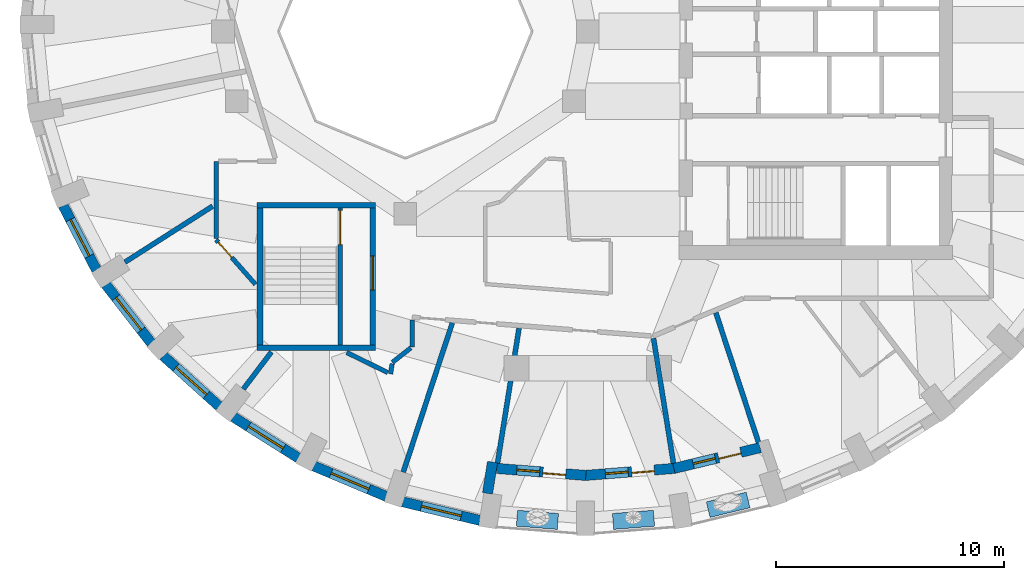
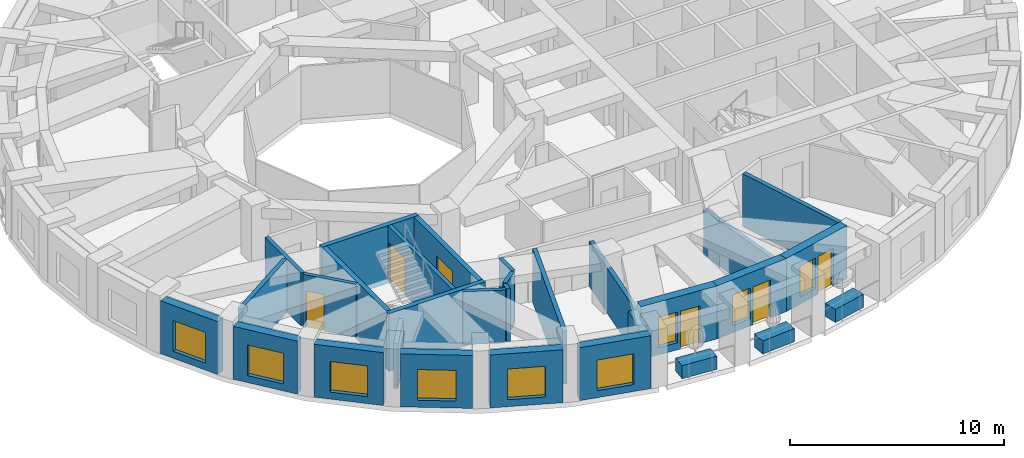
# One storey, part 3 of 12: 30 walls, 9 windows, 6 doors, 15 openings.
"""IFC4 building model written with IfcOpenShell, lengths in metres."""

from ifc_helpers import new_model, si_unit, direction, frame, frame_2d, origin, place, context, subcontext, project, spatial, rectangle, extrude, material, layer, layer_set, constituent, constituent_set, type_object, element, fill, save


model = new_model("IFC4")

# Units and contexts
model_context = context("Model", 3, precision=1e-05, world=origin(), true_north=direction((0.0, 1.0)))
body_context = subcontext(model_context, "Body", "Model", "MODEL_VIEW")
ifc_project = project(units=[si_unit("LENGTHUNIT", "METRE"), si_unit("AREAUNIT", "SQUARE_METRE"), si_unit("VOLUMEUNIT", "CUBIC_METRE"), si_unit("PLANEANGLEUNIT", "RADIAN"), si_unit("MASSUNIT", "GRAM", prefix="KILO")], contexts=[model_context])

# Site, building, storey
site_placement = place(None, origin())
site = spatial("IfcSite", under=ifc_project, at=site_placement, CompositionType="ELEMENT")
building_placement = place(site_placement, origin())
building = spatial("IfcBuilding", under=site, at=building_placement, Name="Taillehof Tower", CompositionType="ELEMENT")
storey_placement = place(building_placement, frame((0.0, 0.0, 249.800048828125)))
storey = spatial("IfcBuildingStorey", under=building, at=storey_placement, Name="L71", CompositionType="ELEMENT", Elevation=249.800048828125)

# Wall, opening, window
ifc_material_1 = material(Name="Brick masonry", Category="masonry")
ifc_layer_1 = layer(ifc_material_1, 0.449951171875)
ifc_layer_set_1 = layer_set([ifc_layer_1], Name="Brick infill wall 450")
wall_type_1 = type_object("IfcWallType", Name="Brick infill wall 450", PredefinedType="SOLIDWALL", material=ifc_layer_set_1)
wall_1_placement = place(storey_placement, frame((-23.010009765625, -7.6396484375, 0.0), z_axis=(0.0, 0.0, 1.0), x_axis=(0.459921155255, -0.887959757505, 0.0)))
wall_1 = element("IfcWall", 1, at=wall_1_placement, inside=storey, type_object=wall_type_1, Name="Brick wall L71 bay 21", PredefinedType="SOLIDWALL", context=body_context, shape_type="SweptSolid", body=[
    extrude(rectangle(XDim=3.185546875, YDim=0.449951171875, at=frame_2d((1.5927734375, 0.0))), origin(), (0.0, 0.0, 1.0), 3.02001953125),
])
opening_1_placement = place(wall_1_placement, frame((0.69287109375, 0.0, 0.39990234375)))
opening_1 = element("IfcOpeningElement", 2, at=opening_1_placement, cuts=wall_1, Name="Opening W4", PredefinedType="OPENING", context=body_context, shape_type="SweptSolid", body=[
    extrude(rectangle(XDim=1.800048828125, YDim=1.75, at=frame_2d((0.89990234375, 0.875))), frame((0.0, 0.23486328125, 0.0), z_axis=(0.0, -1.0, 0.0), x_axis=(1.0, 0.0, 0.0)), (0.0, 0.0, 1.0), 0.469970703125),
])
ifc_material_2 = material(Name="Aluminium window frame with clear double glazing", Category="aluminium")
window_type_1 = type_object("IfcWindowType", Name="Deep-set window 1800x1750", PartitioningType="SINGLE_PANEL", PredefinedType="WINDOW", material=ifc_material_2)
window_1_placement = place(opening_1_placement, origin())
window_1 = element("IfcWindow", 3, at=window_1_placement, inside=storey, type_object=window_type_1, Name="W4", OverallHeight=1.75, OverallWidth=1.800048828125, PartitioningType="SINGLE_PANEL", PredefinedType="WINDOW", context=body_context, shape_type="SweptSolid", body=[
    extrude(rectangle(XDim=1.800048828125, YDim=1.75, at=frame_2d((0.89990234375, 0.875))), frame((0.0, 0.034912109375, 0.0), z_axis=(0.0, -1.0, 0.0), x_axis=(1.0, 0.0, 0.0)), (0.0, 0.0, 1.0), 0.06005859375),
])
fill(opening_1, window_1)

wall_2_placement = place(storey_placement, frame((-21.135009765625, -11.108642578125, 0.0), z_axis=(0.0, 0.0, 1.0), x_axis=(0.613898970825, -0.789384604372, 0.0)))
wall_2 = element("IfcWall", 4, at=wall_2_placement, inside=storey, type_object=wall_type_1, Name="Brick wall L71 bay 22", PredefinedType="SOLIDWALL", context=body_context, shape_type="SweptSolid", body=[
    extrude(rectangle(XDim=3.2470703125, YDim=0.449951171875, at=frame_2d((1.62353515625, 0.0))), origin(), (0.0, 0.0, 1.0), 3.02001953125),
])
opening_2_placement = place(wall_2_placement, frame((0.7236328125, 0.0, 0.39990234375)))
opening_2 = element("IfcOpeningElement", 5, at=opening_2_placement, cuts=wall_2, Name="Opening W4", PredefinedType="OPENING", context=body_context, shape_type="SweptSolid", body=[
    extrude(rectangle(XDim=1.800048828125, YDim=1.75, at=frame_2d((0.89990234375, 0.875))), frame((0.0, 0.23486328125, 0.0), z_axis=(0.0, -1.0, 0.0), x_axis=(1.0, 0.0, 0.0)), (0.0, 0.0, 1.0), 0.469970703125),
])
window_2_placement = place(opening_2_placement, origin())
window_2 = element("IfcWindow", 6, at=window_2_placement, inside=storey, type_object=window_type_1, Name="W4", OverallHeight=1.75, OverallWidth=1.800048828125, PartitioningType="SINGLE_PANEL", PredefinedType="WINDOW", context=body_context, shape_type="SweptSolid", body=[
    extrude(rectangle(XDim=1.800048828125, YDim=1.75, at=frame_2d((0.89990234375, 0.875))), frame((0.0, 0.034912109375, 0.0), z_axis=(0.0, -1.0, 0.0), x_axis=(1.0, 0.0, 0.0)), (0.0, 0.0, 1.0), 0.06005859375),
])
fill(opening_2, window_2)

wall_3_placement = place(storey_placement, frame((-18.623779296875, -14.228515625, 0.0), z_axis=(0.0, 0.0, 1.0), x_axis=(0.743166014219, -0.669107073128, 0.0)))
wall_3 = element("IfcWall", 7, at=wall_3_placement, inside=storey, type_object=wall_type_1, Name="Brick wall L71 bay 23", PredefinedType="SOLIDWALL", context=body_context, shape_type="SweptSolid", body=[
    extrude(rectangle(XDim=3.31640625, YDim=0.449951171875, at=frame_2d((1.658203125, 0.0))), origin(), (0.0, 0.0, 1.0), 3.02001953125),
])
opening_3_placement = place(wall_3_placement, frame((0.75830078125, 0.0, 0.39990234375)))
opening_3 = element("IfcOpeningElement", 8, at=opening_3_placement, cuts=wall_3, Name="Opening W4", PredefinedType="OPENING", context=body_context, shape_type="SweptSolid", body=[
    extrude(rectangle(XDim=1.800048828125, YDim=1.75, at=frame_2d((0.89990234375, 0.875))), frame((0.0, 0.23486328125, 0.0), z_axis=(0.0, -1.0, 0.0), x_axis=(1.0, 0.0, 0.0)), (0.0, 0.0, 1.0), 0.469970703125),
])
window_3_placement = place(opening_3_placement, origin())
window_3 = element("IfcWindow", 9, at=window_3_placement, inside=storey, type_object=window_type_1, Name="W4", OverallHeight=1.75, OverallWidth=1.800048828125, PartitioningType="SINGLE_PANEL", PredefinedType="WINDOW", context=body_context, shape_type="SweptSolid", body=[
    extrude(rectangle(XDim=1.800048828125, YDim=1.75, at=frame_2d((0.89990234375, 0.875))), frame((0.0, 0.034912109375, 0.0), z_axis=(0.0, -1.0, 0.0), x_axis=(1.0, 0.0, 0.0)), (0.0, 0.0, 1.0), 0.06005859375),
])
fill(opening_3, window_3)

wall_4_placement = place(storey_placement, frame((-15.552978515625, -16.906005859375, 0.0), z_axis=(0.0, 0.0, 1.0), x_axis=(0.845929139811, -0.53329531258, 0.0)))
wall_4 = element("IfcWall", 10, at=wall_4_placement, inside=storey, type_object=wall_type_1, Name="Brick wall L71 bay 24", PredefinedType="SOLIDWALL", context=body_context, shape_type="SweptSolid", body=[
    extrude(rectangle(XDim=3.384521484375, YDim=0.449951171875, at=frame_2d((1.6923828125, 0.0))), origin(), (0.0, 0.0, 1.0), 3.02001953125),
])
opening_4_placement = place(wall_4_placement, frame((0.792236328125, 0.0, 0.39990234375)))
opening_4 = element("IfcOpeningElement", 11, at=opening_4_placement, cuts=wall_4, Name="Opening W4", PredefinedType="OPENING", context=body_context, shape_type="SweptSolid", body=[
    extrude(rectangle(XDim=1.800048828125, YDim=1.75, at=frame_2d((0.89990234375, 0.875))), frame((0.0, 0.23486328125, 0.0), z_axis=(0.0, -1.0, 0.0), x_axis=(1.0, 0.0, 0.0)), (0.0, 0.0, 1.0), 0.469970703125),
])
window_4_placement = place(opening_4_placement, origin())
window_4 = element("IfcWindow", 12, at=window_4_placement, inside=storey, type_object=window_type_1, Name="W4", OverallHeight=1.75, OverallWidth=1.800048828125, PartitioningType="SINGLE_PANEL", PredefinedType="WINDOW", context=body_context, shape_type="SweptSolid", body=[
    extrude(rectangle(XDim=1.800048828125, YDim=1.75, at=frame_2d((0.89990234375, 0.875))), frame((0.0, 0.034912109375, 0.0), z_axis=(0.0, -1.0, 0.0), x_axis=(1.0, 0.0, 0.0)), (0.0, 0.0, 1.0), 0.06005859375),
])
fill(opening_4, window_4)

wall_5_placement = place(storey_placement, frame((-12.015625, -19.06201171875, 0.0), z_axis=(0.0, 0.0, 1.0), x_axis=(0.922049934692, -0.3870709469, 0.0)))
wall_5 = element("IfcWall", 13, at=wall_5_placement, inside=storey, type_object=wall_type_1, Name="Brick wall L71 bay 25", PredefinedType="SOLIDWALL", context=body_context, shape_type="SweptSolid", body=[
    extrude(rectangle(XDim=3.443115234375, YDim=0.449951171875, at=frame_2d((1.7216796875, 0.0))), origin(), (0.0, 0.0, 1.0), 3.02001953125),
])
opening_5_placement = place(wall_5_placement, frame((0.82177734375, 0.0, 0.39990234375)))
opening_5 = element("IfcOpeningElement", 14, at=opening_5_placement, cuts=wall_5, Name="Opening W4", PredefinedType="OPENING", context=body_context, shape_type="SweptSolid", body=[
    extrude(rectangle(XDim=1.800048828125, YDim=1.75, at=frame_2d((0.89990234375, 0.875))), frame((0.0, 0.23486328125, 0.0), z_axis=(0.0, -1.0, 0.0), x_axis=(1.0, 0.0, 0.0)), (0.0, 0.0, 1.0), 0.469970703125),
])
window_5_placement = place(opening_5_placement, origin())
window_5 = element("IfcWindow", 15, at=window_5_placement, inside=storey, type_object=window_type_1, Name="W4", OverallHeight=1.75, OverallWidth=1.800048828125, PartitioningType="SINGLE_PANEL", PredefinedType="WINDOW", context=body_context, shape_type="SweptSolid", body=[
    extrude(rectangle(XDim=1.800048828125, YDim=1.75, at=frame_2d((0.89990234375, 0.875))), frame((0.0, 0.034912109375, 0.0), z_axis=(0.0, -1.0, 0.0), x_axis=(1.0, 0.0, 0.0)), (0.0, 0.0, 1.0), 0.06005859375),
])
fill(opening_5, window_5)

wall_6_placement = place(storey_placement, frame((-8.11865234375, -20.6318359375, 0.0), z_axis=(0.0, 0.0, 1.0), x_axis=(0.972115243017, -0.234503633859, 0.0)))
wall_6 = element("IfcWall", 16, at=wall_6_placement, inside=storey, type_object=wall_type_1, Name="Brick wall L71 bay 26", PredefinedType="SOLIDWALL", context=body_context, shape_type="SweptSolid", body=[
    extrude(rectangle(XDim=3.486572265625, YDim=0.449951171875, at=frame_2d((1.7431640625, 0.0))), origin(), (0.0, 0.0, 1.0), 3.02001953125),
])
opening_6_placement = place(wall_6_placement, frame((0.84326171875, 0.0, 0.39990234375)))
opening_6 = element("IfcOpeningElement", 17, at=opening_6_placement, cuts=wall_6, Name="Opening W4", PredefinedType="OPENING", context=body_context, shape_type="SweptSolid", body=[
    extrude(rectangle(XDim=1.800048828125, YDim=1.75, at=frame_2d((0.89990234375, 0.875))), frame((0.0, 0.23486328125, 0.0), z_axis=(0.0, -1.0, 0.0), x_axis=(1.0, 0.0, 0.0)), (0.0, 0.0, 1.0), 0.469970703125),
])
window_6_placement = place(opening_6_placement, origin())
window_6 = element("IfcWindow", 18, at=window_6_placement, inside=storey, type_object=window_type_1, Name="W4", OverallHeight=1.75, OverallWidth=1.800048828125, PartitioningType="SINGLE_PANEL", PredefinedType="WINDOW", context=body_context, shape_type="SweptSolid", body=[
    extrude(rectangle(XDim=1.800048828125, YDim=1.75, at=frame_2d((0.89990234375, 0.875))), frame((0.0, 0.034912109375, 0.0), z_axis=(0.0, -1.0, 0.0), x_axis=(1.0, 0.0, 0.0)), (0.0, 0.0, 1.0), 0.06005859375),
])
fill(opening_6, window_6)

# Wall
wall_7_placement = place(storey_placement, frame((-4.39599609375, -20.262939453125, 0.0), z_axis=(0.0, 0.0, 1.0), x_axis=(0.157360300025, 0.98754125786, 0.0)))
element("IfcWall", 19, at=wall_7_placement, inside=storey, type_object=wall_type_1, Name="Brick reveal L71 pocket 8", PredefinedType="SOLIDWALL", context=body_context, shape_type="SweptSolid", body=[
    extrude(rectangle(XDim=1.39013671875, YDim=0.449951171875, at=frame_2d((0.695068359375, 0.0))), origin(), (0.0, 0.0, 1.0), 2.570068359375),
])

# Wall, openings, door, window
wall_8_placement = place(storey_placement, frame((-3.993408203125, -19.166748046875, 0.0), z_axis=(0.0, 0.0, 1.0), x_axis=(0.996896863697, -0.078718759836, 0.0)))
wall_8 = element("IfcWall", 20, at=wall_8_placement, inside=storey, type_object=wall_type_1, Name="Brick wall L71 pocket bay 27", PredefinedType="SOLIDWALL", context=body_context, shape_type="SweptSolid", body=[
    extrude(rectangle(XDim=3.92333984375, YDim=0.449951171875, at=frame_2d((1.961669921875, 0.0))), origin(), (0.0, 0.0, 1.0), 3.02001953125),
])
opening_7_placement = place(wall_8_placement, frame((0.88671875, 0.0, 0.39990234375)))
opening_7 = element("IfcOpeningElement", 21, at=opening_7_placement, cuts=wall_8, Name="Opening W5", PredefinedType="OPENING", context=body_context, shape_type="SweptSolid", body=[
    extrude(rectangle(XDim=1.0, YDim=1.75, at=frame_2d((0.5, 0.875))), frame((0.0, 0.23486328125, 0.0), z_axis=(0.0, -1.0, 0.0), x_axis=(1.0, 0.0, 0.0)), (0.0, 0.0, 1.0), 0.469970703125),
])
opening_8_placement = place(wall_8_placement, frame((2.03662109375, 0.0, 0.0)))
opening_8 = element("IfcOpeningElement", 22, at=opening_8_placement, cuts=wall_8, Name="Opening D7191", PredefinedType="OPENING", context=body_context, shape_type="SweptSolid", body=[
    extrude(rectangle(XDim=1.0, YDim=2.14990234375, at=frame_2d((0.5, 1.074951171875))), frame((0.0, 0.23486328125, 0.0), z_axis=(0.0, -1.0, 0.0), x_axis=(1.0, 0.0, 0.0)), (0.0, 0.0, 1.0), 0.469970703125),
])
ifc_material_3 = material(Name="Aluminium door frame with clear double glazing", Category="aluminium")
door_type_1 = type_object("IfcDoorType", Name="Balcony door 1000x2150", OperationType="SINGLE_SWING_RIGHT", PredefinedType="DOOR", material=ifc_material_3)
door_1_placement = place(opening_8_placement, frame((1.0, 0.0, 0.0), z_axis=(0.0, 0.0, 1.0), x_axis=(-1.0, 0.0, 0.0)))
door_1 = element("IfcDoor", 23, at=door_1_placement, inside=storey, type_object=door_type_1, Name="Balcony door L71 bay 27", OperationType="SINGLE_SWING_RIGHT", OverallHeight=2.14990234375, OverallWidth=1.0, PredefinedType="DOOR", context=body_context, shape_type="SweptSolid", body=[
    extrude(rectangle(XDim=1.0, YDim=2.14990234375, at=frame_2d((0.5, 1.074951171875))), frame((0.0, 0.0751953125, 0.0), z_axis=(0.0, -1.0, 0.0), x_axis=(1.0, 0.0, 0.0)), (0.0, 0.0, 1.0), 0.050048828125),
])
fill(opening_8, door_1)
ifc_material_4 = material(Name="Aluminium window frame with clear double glazing", Category="aluminium")
window_type_2 = type_object("IfcWindowType", Name="Fixed window 1000x1750", PartitioningType="SINGLE_PANEL", PredefinedType="WINDOW", material=ifc_material_4)
window_7_placement = place(opening_7_placement, origin())
window_7 = element("IfcWindow", 24, at=window_7_placement, inside=storey, type_object=window_type_2, Name="W5", OverallHeight=1.75, OverallWidth=1.0, PartitioningType="SINGLE_PANEL", PredefinedType="WINDOW", context=body_context, shape_type="SweptSolid", body=[
    extrude(rectangle(XDim=1.0, YDim=1.75, at=frame_2d((0.5, 0.875))), frame((0.0, 0.034912109375, 0.0), z_axis=(0.0, -1.0, 0.0), x_axis=(1.0, 0.0, 0.0)), (0.0, 0.0, 1.0), 0.06005859375),
])
fill(opening_7, window_7)

wall_9_placement = place(storey_placement, frame((-0.11767578125, -19.4755859375, 0.0), z_axis=(0.0, 0.0, 1.0), x_axis=(0.99689571809, 0.078733266494, 0.0)))
wall_9 = element("IfcWall", 25, at=wall_9_placement, inside=storey, type_object=wall_type_1, Name="Brick wall L71 pocket bay 28", PredefinedType="SOLIDWALL", context=body_context, shape_type="SweptSolid", body=[
    extrude(rectangle(XDim=3.941162109375, YDim=0.449951171875, at=frame_2d((1.970703125, 0.0))), origin(), (0.0, 0.0, 1.0), 3.02001953125),
])
opening_9_placement = place(wall_9_placement, frame((0.8955078125, 0.0, 0.39990234375)))
opening_9 = element("IfcOpeningElement", 26, at=opening_9_placement, cuts=wall_9, Name="Opening W5", PredefinedType="OPENING", context=body_context, shape_type="SweptSolid", body=[
    extrude(rectangle(XDim=1.0, YDim=1.75, at=frame_2d((0.5, 0.875))), frame((0.0, 0.23486328125, 0.0), z_axis=(0.0, -1.0, 0.0), x_axis=(1.0, 0.0, 0.0)), (0.0, 0.0, 1.0), 0.469970703125),
])
opening_10_placement = place(wall_9_placement, frame((2.045654296875, 0.0, 0.0)))
opening_10 = element("IfcOpeningElement", 27, at=opening_10_placement, cuts=wall_9, Name="Opening D7192", PredefinedType="OPENING", context=body_context, shape_type="SweptSolid", body=[
    extrude(rectangle(XDim=1.0, YDim=2.14990234375, at=frame_2d((0.5, 1.074951171875))), frame((0.0, 0.23486328125, 0.0), z_axis=(0.0, -1.0, 0.0), x_axis=(1.0, 0.0, 0.0)), (0.0, 0.0, 1.0), 0.469970703125),
])
door_2_placement = place(opening_10_placement, frame((1.0, 0.0, 0.0), z_axis=(0.0, 0.0, 1.0), x_axis=(-1.0, 0.0, 0.0)))
door_2 = element("IfcDoor", 28, at=door_2_placement, inside=storey, type_object=door_type_1, Name="Balcony door L71 bay 28", OperationType="SINGLE_SWING_LEFT", OverallHeight=2.14990234375, OverallWidth=1.0, PredefinedType="DOOR", context=body_context, shape_type="SweptSolid", body=[
    extrude(rectangle(XDim=1.0, YDim=2.14990234375, at=frame_2d((0.5, 1.074951171875))), frame((0.0, 0.0751953125, 0.0), z_axis=(0.0, -1.0, 0.0), x_axis=(1.0, 0.0, 0.0)), (0.0, 0.0, 1.0), 0.050048828125),
])
fill(opening_10, door_2)
window_8_placement = place(opening_9_placement, origin())
window_8 = element("IfcWindow", 29, at=window_8_placement, inside=storey, type_object=window_type_2, Name="W5", OverallHeight=1.75, OverallWidth=1.0, PartitioningType="SINGLE_PANEL", PredefinedType="WINDOW", context=body_context, shape_type="SweptSolid", body=[
    extrude(rectangle(XDim=1.0, YDim=1.75, at=frame_2d((0.5, 0.875))), frame((0.0, 0.034912109375, 0.0), z_axis=(0.0, -1.0, 0.0), x_axis=(1.0, 0.0, 0.0)), (0.0, 0.0, 1.0), 0.06005859375),
])
fill(opening_9, window_8)

wall_10_placement = place(storey_placement, frame((3.776123046875, -19.1708984375, 0.0), z_axis=(0.0, 0.0, 1.0), x_axis=(0.971940055516, 0.235228672751, 0.0)))
wall_10 = element("IfcWall", 30, at=wall_10_placement, inside=storey, type_object=wall_type_1, Name="Brick wall L71 pocket bay 29", PredefinedType="SOLIDWALL", context=body_context, shape_type="SweptSolid", body=[
    extrude(rectangle(XDim=3.895263671875, YDim=0.449951171875, at=frame_2d((1.94775390625, 0.0))), origin(), (0.0, 0.0, 1.0), 3.02001953125),
])
opening_11_placement = place(wall_10_placement, frame((0.87255859375, 0.0, 0.39990234375)))
opening_11 = element("IfcOpeningElement", 31, at=opening_11_placement, cuts=wall_10, Name="Opening W5", PredefinedType="OPENING", context=body_context, shape_type="SweptSolid", body=[
    extrude(rectangle(XDim=1.0, YDim=1.75, at=frame_2d((0.5, 0.875))), frame((0.0, 0.23486328125, 0.0), z_axis=(0.0, -1.0, 0.0), x_axis=(1.0, 0.0, 0.0)), (0.0, 0.0, 1.0), 0.469970703125),
])
opening_12_placement = place(wall_10_placement, frame((2.022705078125, 0.0, 0.0)))
opening_12 = element("IfcOpeningElement", 32, at=opening_12_placement, cuts=wall_10, Name="Opening D7193", PredefinedType="OPENING", context=body_context, shape_type="SweptSolid", body=[
    extrude(rectangle(XDim=1.0, YDim=2.14990234375, at=frame_2d((0.5, 1.074951171875))), frame((0.0, 0.23486328125, 0.0), z_axis=(0.0, -1.0, 0.0), x_axis=(1.0, 0.0, 0.0)), (0.0, 0.0, 1.0), 0.469970703125),
])
door_3_placement = place(opening_12_placement, frame((1.0, 0.0, 0.0), z_axis=(0.0, 0.0, 1.0), x_axis=(-1.0, 0.0, 0.0)))
door_3 = element("IfcDoor", 33, at=door_3_placement, inside=storey, type_object=door_type_1, Name="Balcony door L71 bay 29", OperationType="SINGLE_SWING_LEFT", OverallHeight=2.14990234375, OverallWidth=1.0, PredefinedType="DOOR", context=body_context, shape_type="SweptSolid", body=[
    extrude(rectangle(XDim=1.0, YDim=2.14990234375, at=frame_2d((0.5, 1.074951171875))), frame((0.0, 0.0751953125, 0.0), z_axis=(0.0, -1.0, 0.0), x_axis=(1.0, 0.0, 0.0)), (0.0, 0.0, 1.0), 0.050048828125),
])
fill(opening_12, door_3)
window_9_placement = place(opening_11_placement, origin())
window_9 = element("IfcWindow", 34, at=window_9_placement, inside=storey, type_object=window_type_2, Name="W5", OverallHeight=1.75, OverallWidth=1.0, PartitioningType="SINGLE_PANEL", PredefinedType="WINDOW", context=body_context, shape_type="SweptSolid", body=[
    extrude(rectangle(XDim=1.0, YDim=1.75, at=frame_2d((0.5, 0.875))), frame((0.0, 0.034912109375, 0.0), z_axis=(0.0, -1.0, 0.0), x_axis=(1.0, 0.0, 0.0)), (0.0, 0.0, 1.0), 0.06005859375),
])
fill(opening_11, window_9)

# Walls
ifc_material_5 = material(Name="Gypsum board on steel studs, two layers each side", Category="steel")
ifc_layer_2 = layer(ifc_material_5, 0.199951171875)
ifc_layer_set_2 = layer_set([ifc_layer_2], Name="Compartment wall corridor 200")
wall_type_2 = type_object("IfcWallType", Name="Compartment wall corridor 200", PredefinedType="PARTITIONING", material=ifc_layer_set_2)
wall_11_placement = place(storey_placement, frame((-7.699951171875, -12.655029296875, 0.0), z_axis=(0.0, 0.0, 1.0), x_axis=(0.0, -1.0, 0.0)))
element("IfcWall", 35, at=wall_11_placement, inside=storey, type_object=wall_type_2, Name="Compartment wall", PredefinedType="PARTITIONING", context=body_context, shape_type="SweptSolid", body=[
    extrude(rectangle(XDim=1.17822265625, YDim=0.199951171875, at=frame_2d((0.589111328125, 0.0))), origin(), (0.0, 0.0, 1.0), 3.02001953125),
])
wall_12_placement = place(storey_placement, frame((-7.762451171875, -13.883056640625, 0.0), z_axis=(0.0, 0.0, 1.0), x_axis=(-0.786062424188, -0.618147122682, 0.0)))
element("IfcWall", 36, at=wall_12_placement, inside=storey, type_object=wall_type_2, Name="Compartment wall", PredefinedType="PARTITIONING", context=body_context, shape_type="SweptSolid", body=[
    extrude(rectangle(XDim=1.026611328125, YDim=0.199951171875, at=frame_2d((0.51318359375, 0.0))), origin(), (0.0, 0.0, 1.0), 3.02001953125),
])
wall_13_placement = place(storey_placement, frame((-8.578857421875, -14.576904296875, 0.0), z_axis=(0.0, 0.0, 1.0), x_axis=(-0.156959618358, -0.987605021355, 0.0)))
element("IfcWall", 37, at=wall_13_placement, inside=storey, type_object=wall_type_2, Name="Compartment wall", PredefinedType="PARTITIONING", context=body_context, shape_type="SweptSolid", body=[
    extrude(rectangle(XDim=0.45263671875, YDim=0.199951171875, at=frame_2d((0.226318359375, 0.0))), origin(), (0.0, 0.0, 1.0), 3.02001953125),
])
wall_14_placement = place(storey_placement, frame((-8.7763671875, -14.96240234375, 0.0), z_axis=(0.0, 0.0, 1.0), x_axis=(-0.897985962104, 0.44002410373, 0.0)))
element("IfcWall", 38, at=wall_14_placement, inside=storey, type_object=wall_type_2, Name="Compartment wall", PredefinedType="PARTITIONING", context=body_context, shape_type="SweptSolid", body=[
    extrude(rectangle(XDim=2.000732421875, YDim=0.199951171875, at=frame_2d((1.00048828125, 0.0))), origin(), (0.0, 0.0, 1.0), 3.02001953125),
])

# Wall, opening, door
wall_15_placement = place(storey_placement, frame((-14.57080078125, -11.0966796875, 0.0), z_axis=(0.0, 0.0, 1.0), x_axis=(-0.661964672275, 0.749535037646, 0.0)))
wall_15 = element("IfcWall", 39, at=wall_15_placement, inside=storey, type_object=wall_type_2, Name="Compartment wall", PredefinedType="PARTITIONING", context=body_context, shape_type="SweptSolid", body=[
    extrude(rectangle(XDim=2.6123046875, YDim=0.199951171875, at=frame_2d((1.30615234375, 0.0))), origin(), (0.0, 0.0, 1.0), 3.02001953125),
])
opening_13_placement = place(wall_15_placement, frame((1.572265625, 0.0, 0.0)))
opening_13 = element("IfcOpeningElement", 40, at=opening_13_placement, cuts=wall_15, Name="Opening D7149", PredefinedType="OPENING", context=body_context, shape_type="SweptSolid", body=[
    extrude(rectangle(XDim=0.89990234375, YDim=2.10009765625, at=frame_2d((0.449951171875, 1.050048828125))), frame((0.0, 0.10986328125, 0.0), z_axis=(0.0, -1.0, 0.0), x_axis=(1.0, 0.0, 0.0)), (0.0, 0.0, 1.0), 0.219970703125),
])
ifc_material_6 = material(Name="Timber door leaf in steel frame", Category="steel")
door_type_2 = type_object("IfcDoorType", Name="Service room door EI 30 900 x 2100", OperationType="SINGLE_SWING_LEFT", PredefinedType="DOOR", material=ifc_material_6)
door_4_placement = place(opening_13_placement, origin())
door_4 = element("IfcDoor", 41, at=door_4_placement, inside=storey, type_object=door_type_2, Name="D7149", OperationType="SINGLE_SWING_RIGHT", OverallHeight=2.10009765625, OverallWidth=0.89990234375, PredefinedType="DOOR", context=body_context, shape_type="SweptSolid", body=[
    extrude(rectangle(XDim=0.89990234375, YDim=2.10009765625, at=frame_2d((0.449951171875, 1.050048828125))), frame((0.0, 0.02490234375, 0.0), z_axis=(0.0, -1.0, 0.0), x_axis=(1.0, 0.0, 0.0)), (0.0, 0.0, 1.0), 0.050048828125),
])
fill(opening_13, door_4)

# Walls
wall_16_placement = place(storey_placement, frame((-16.300048828125, -9.07861328125, 0.0), z_axis=(0.0, 0.0, 1.0), x_axis=(0.0, 1.0, 0.0)))
element("IfcWall", 42, at=wall_16_placement, inside=storey, type_object=wall_type_2, Name="Compartment wall", PredefinedType="PARTITIONING", context=body_context, shape_type="SweptSolid", body=[
    extrude(rectangle(XDim=3.378662109375, YDim=0.199951171875, at=frame_2d((1.689453125, 0.0))), origin(), (0.0, 0.0, 1.0), 3.02001953125),
])
ifc_material_7 = material(Name="Gypsum board on double steel studs with mineral wool", Category="steel")
ifc_layer_3 = layer(ifc_material_7, 0.219970703125)
ifc_layer_set_3 = layer_set([ifc_layer_3], Name="Compartment wall guest room 220")
wall_type_3 = type_object("IfcWallType", Name="Compartment wall guest room 220", PredefinedType="PARTITIONING", material=ifc_layer_set_3)
wall_17_placement = place(storey_placement, frame((-20.2958984375, -10.12109375, 0.0), z_axis=(0.0, 0.0, 1.0), x_axis=(0.842562742951, 0.538598202922, 0.0)))
element("IfcWall", 43, at=wall_17_placement, inside=storey, type_object=wall_type_3, Name="Compartment wall", PredefinedType="PARTITIONING", context=body_context, shape_type="SweptSolid", body=[
    extrude(rectangle(XDim=4.563720703125, YDim=0.219970703125, at=frame_2d((2.28173828125, 0.0))), origin(), (0.0, 0.0, 1.0), 3.02001953125),
])
wall_18_placement = place(storey_placement, frame((-15.10595703125, -15.687255859375, 0.0), z_axis=(0.0, 0.0, 1.0), x_axis=(0.603910579463, 0.797052076099, 0.0)))
element("IfcWall", 44, at=wall_18_placement, inside=storey, type_object=wall_type_3, Name="Compartment wall", PredefinedType="PARTITIONING", context=body_context, shape_type="SweptSolid", body=[
    extrude(rectangle(XDim=2.0439453125, YDim=0.219970703125, at=frame_2d((1.02197265625, 0.0))), origin(), (0.0, 0.0, 1.0), 2.570068359375),
])
wall_19_placement = place(storey_placement, frame((-8.09130859375, -19.331787109375, 0.0), z_axis=(0.0, 0.0, 1.0), x_axis=(0.312309235722, 0.949980495212, 0.0)))
element("IfcWall", 45, at=wall_19_placement, inside=storey, type_object=wall_type_3, Name="Compartment wall", PredefinedType="PARTITIONING", context=body_context, shape_type="SweptSolid", body=[
    extrude(rectangle(XDim=6.883056640625, YDim=0.219970703125, at=frame_2d((3.44140625, 0.0))), origin(), (0.0, 0.0, 1.0), 3.02001953125),
])
wall_20_placement = place(storey_placement, frame((-3.9580078125, -18.94384765625, 0.0), z_axis=(0.0, 0.0, 1.0), x_axis=(0.157275726572, 0.98755473055, 0.0)))
element("IfcWall", 46, at=wall_20_placement, inside=storey, type_object=wall_type_3, Name="Compartment wall", PredefinedType="PARTITIONING", context=body_context, shape_type="SweptSolid", body=[
    extrude(rectangle(XDim=5.9951171875, YDim=0.219970703125, at=frame_2d((2.99755859375, 0.0))), origin(), (0.0, 0.0, 1.0), 2.570068359375),
])
wall_21_placement = place(storey_placement, frame((3.758056640625, -18.94384765625, 0.0), z_axis=(0.0, 0.0, 1.0), x_axis=(-0.157259396774, 0.987557331058, 0.0)))
element("IfcWall", 47, at=wall_21_placement, inside=storey, type_object=wall_type_3, Name="Compartment wall", PredefinedType="PARTITIONING", context=body_context, shape_type="SweptSolid", body=[
    extrude(rectangle(XDim=5.548583984375, YDim=0.219970703125, at=frame_2d((2.7744140625, 0.0))), origin(), (0.0, 0.0, 1.0), 2.570068359375),
])
wall_22_placement = place(storey_placement, frame((7.49169921875, -18.040283203125, 0.0), z_axis=(0.0, 0.0, 1.0), x_axis=(-0.312328122622, 0.949974285873, 0.0)))
element("IfcWall", 48, at=wall_22_placement, inside=storey, type_object=wall_type_3, Name="Compartment wall", PredefinedType="PARTITIONING", context=body_context, shape_type="SweptSolid", body=[
    extrude(rectangle(XDim=5.99560546875, YDim=0.219970703125, at=frame_2d((2.997802734375, 0.0))), origin(), (0.0, 0.0, 1.0), 3.02001953125),
])
ifc_material_8 = material(Name="Concrete C30/37 precast", Category="concrete")
ifc_constituent_1 = constituent(ifc_material_8, Name="Structure", Category="concrete")
ifc_material_9 = material(Name="Insulated lining")
ifc_constituent_2 = constituent(ifc_material_9, Name="Lining")
ifc_constituent_set = constituent_set(constituents=[ifc_constituent_1, ifc_constituent_2], Name="Planter trough 700x750")
wall_type_4 = type_object("IfcWallType", Name="Planter trough 700x750", PredefinedType="USERDEFINED", material=ifc_constituent_set)
for number, where, z_axis, x_axis, name in (
    (49, (-3.104248046875, -21.351806640625, 0.0), (0.0, 0.0, 1.0), (0.996911576184, -0.078532218042, 0.0), "Planter L71 bay 27"),
    (50, (1.10986328125, -21.4931640625, 0.0), (0.0, 0.0, 1.0), (0.996911576184, 0.078532218042, 0.0), "Planter L71 bay 28"),
    (51, (5.282470703125, -20.974609375, 0.0), (0.0, 0.0, 1.0), (0.972112071369, 0.234516781275, 0.0), "Planter L71 bay 29"),
):
    element("IfcWall", number, at=place(storey_placement, frame(where, z_axis=z_axis, x_axis=x_axis)), inside=storey, type_object=wall_type_4, Name=name, ObjectType="PLANTER", PredefinedType="USERDEFINED", context=body_context, shape_type="SweptSolid", body=[
        extrude(rectangle(XDim=1.800048828125, YDim=0.699951171875, at=frame_2d((0.89990234375, 0.0))), origin(), (0.0, 0.0, 1.0), 0.75),
    ])

# Wall, opening, door
ifc_material_10 = material(Name="Concrete C50/60", Category="concrete")
ifc_layer_4 = layer(ifc_material_10, 0.199951171875)
ifc_layer_set_4 = layer_set([ifc_layer_4], Name="Shaft wall C50/60 200")
wall_type_5 = type_object("IfcWallType", Name="Shaft wall C50/60 200", PredefinedType="SHEAR", material=ifc_layer_set_4)
wall_23_placement = place(storey_placement, frame((-10.85009765625, -13.75, 0.0), z_axis=(0.0, 0.0, 1.0), x_axis=(0.0, 1.0, 0.0)))
wall_23 = element("IfcWall", 52, at=wall_23_placement, inside=storey, type_object=wall_type_5, Name="Shaft wall SW", PredefinedType="SHEAR", context=body_context, shape_type="SweptSolid", body=[
    extrude(rectangle(XDim=6.0, YDim=0.199951171875, at=frame_2d((3.0, 0.0))), origin(), (0.0, 0.0, 1.0), 3.02001953125),
])
opening_14_placement = place(wall_23_placement, frame((4.39990234375, 0.0, 0.0)))
opening_14 = element("IfcOpeningElement", 53, at=opening_14_placement, cuts=wall_23, Name="Opening D7113", PredefinedType="OPENING", context=body_context, shape_type="SweptSolid", body=[
    extrude(rectangle(XDim=1.5, YDim=2.10009765625, at=frame_2d((0.75, 1.050048828125))), frame((0.0, 0.10986328125, 0.0), z_axis=(0.0, -1.0, 0.0), x_axis=(1.0, 0.0, 0.0)), (0.0, 0.0, 1.0), 0.219970703125),
])
ifc_material_11 = material(Name="Steel-faced fire door", Category="steel")
door_type_3 = type_object("IfcDoorType", Name="Stair door 1500x2100", OperationType="DOUBLE_DOOR_SINGLE_SWING", PredefinedType="DOOR", material=ifc_material_11)
door_5_placement = place(opening_14_placement, origin())
door_5 = element("IfcDoor", 54, at=door_5_placement, inside=storey, type_object=door_type_3, Name="Stair lobby door S4", OperationType="DOUBLE_DOOR_SINGLE_SWING", OverallHeight=2.10009765625, OverallWidth=1.5, PredefinedType="DOOR", context=body_context, shape_type="SweptSolid", body=[
    extrude(rectangle(XDim=1.5, YDim=2.10009765625, at=frame_2d((0.75, 1.050048828125))), frame((0.0, 0.02490234375, 0.0), z_axis=(0.0, -1.0, 0.0), x_axis=(1.0, 0.0, 0.0)), (0.0, 0.0, 1.0), 0.050048828125),
])
fill(opening_14, door_5)

# Wall
ifc_material_12 = material(Name="Concrete C50/60", Category="concrete")
ifc_layer_5 = layer(ifc_material_12, 0.25)
ifc_layer_set_5 = layer_set([ifc_layer_5], Name="Stair wall C50/60 250")
wall_type_6 = type_object("IfcWallType", Name="Stair wall C50/60 250", PredefinedType="SHEAR", material=ifc_layer_set_5)
wall_24_placement = place(storey_placement, frame((-14.375, -13.75, -0.280029296875), z_axis=(0.0, 0.0, 1.0), x_axis=(0.0, 1.0, 0.0)))
element("IfcWall", 55, at=wall_24_placement, inside=storey, type_object=wall_type_6, Name="Stair wall SC", PredefinedType="SHEAR", context=body_context, shape_type="SweptSolid", body=[
    extrude(rectangle(XDim=6.0, YDim=0.25, at=frame_2d((3.0, 0.0))), origin(), (0.0, 0.0, 1.0), 3.300048828125),
])

# Wall, opening, door
wall_25_placement = place(storey_placement, frame((-9.425048828125, -13.75, -0.280029296875), z_axis=(0.0, 0.0, 1.0), x_axis=(0.0, 1.0, 0.0)))
wall_25 = element("IfcWall", 56, at=wall_25_placement, inside=storey, type_object=wall_type_6, Name="Stair wall SC", PredefinedType="SHEAR", context=body_context, shape_type="SweptSolid", body=[
    extrude(rectangle(XDim=6.0, YDim=0.25, at=frame_2d((3.0, 0.0))), origin(), (0.0, 0.0, 1.0), 3.300048828125),
])
opening_15_placement = place(wall_25_placement, frame((2.39990234375, 0.0, 0.280029296875)))
opening_15 = element("IfcOpeningElement", 57, at=opening_15_placement, cuts=wall_25, Name="Opening D7116", PredefinedType="OPENING", context=body_context, shape_type="SweptSolid", body=[
    extrude(rectangle(XDim=1.5, YDim=2.10009765625, at=frame_2d((0.75, 1.050048828125))), frame((0.0, 0.135009765625, 0.0), z_axis=(0.0, -1.0, 0.0), x_axis=(1.0, 0.0, 0.0)), (0.0, 0.0, 1.0), 0.27001953125),
])
door_6_placement = place(opening_15_placement, origin())
door_6 = element("IfcDoor", 58, at=door_6_placement, inside=storey, type_object=door_type_3, Name="Stair door S4", OperationType="DOUBLE_DOOR_SINGLE_SWING", OverallHeight=2.10009765625, OverallWidth=1.5, PredefinedType="DOOR", context=body_context, shape_type="SweptSolid", body=[
    extrude(rectangle(XDim=1.5, YDim=2.10009765625, at=frame_2d((0.75, 1.050048828125))), frame((0.0, 0.02490234375, 0.0), z_axis=(0.0, -1.0, 0.0), x_axis=(1.0, 0.0, 0.0)), (0.0, 0.0, 1.0), 0.050048828125),
])
fill(opening_15, door_6)

# Walls
for number, where, z_axis, x_axis, name in (
    (59, (-14.5, -7.625, -0.280029296875), (0.0, 0.0, 1.0), (1.0, 0.0, 0.0), "Stair wall SC"),
    (60, (-14.5, -13.875, -0.280029296875), (0.0, 0.0, 1.0), (1.0, 0.0, 0.0), "Stair wall SC"),
):
    element("IfcWall", number, at=place(storey_placement, frame(where, z_axis=z_axis, x_axis=x_axis)), inside=storey, type_object=wall_type_6, Name=name, PredefinedType="SHEAR", context=body_context, shape_type="SweptSolid", body=[
        extrude(rectangle(XDim=5.199951171875, YDim=0.25, at=frame_2d((2.60009765625, 0.0))), origin(), (0.0, 0.0, 1.0), 3.300048828125),
    ])

save(model, "model.ifc")
